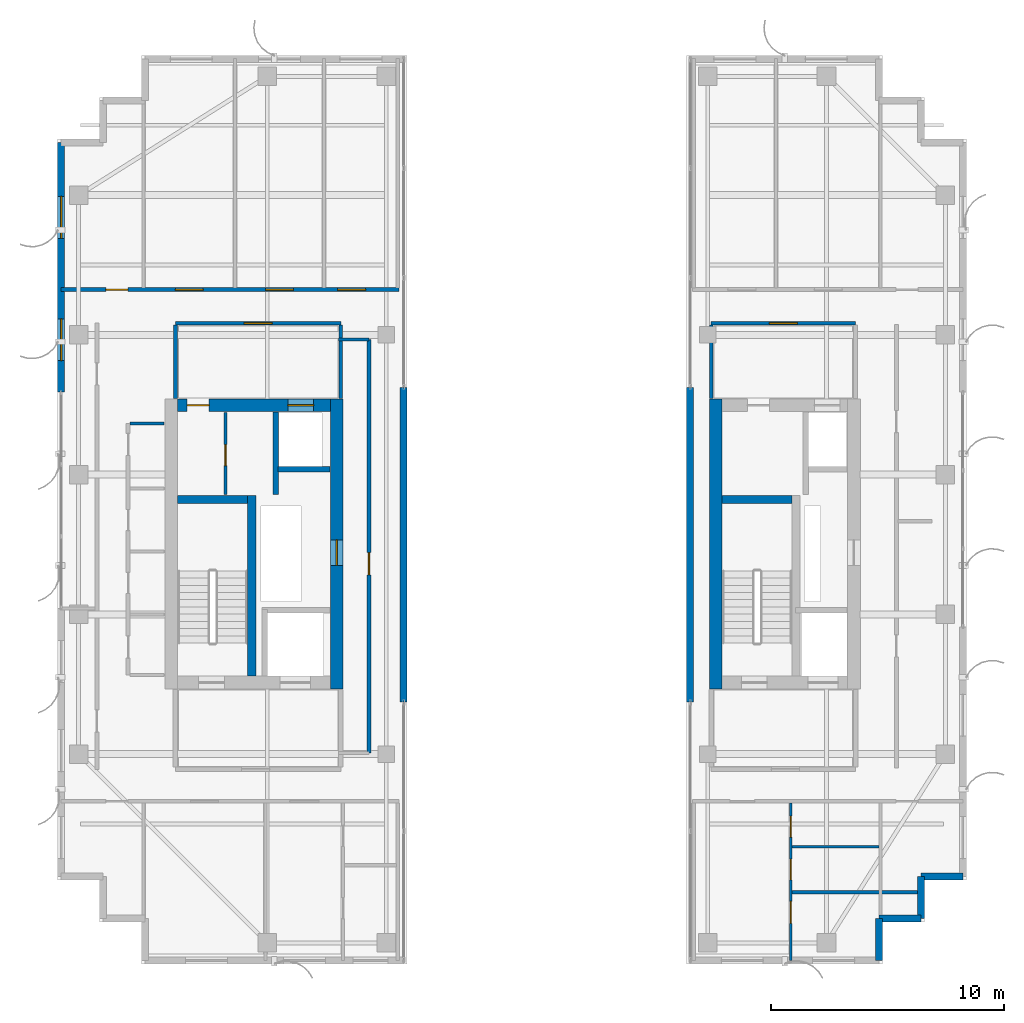
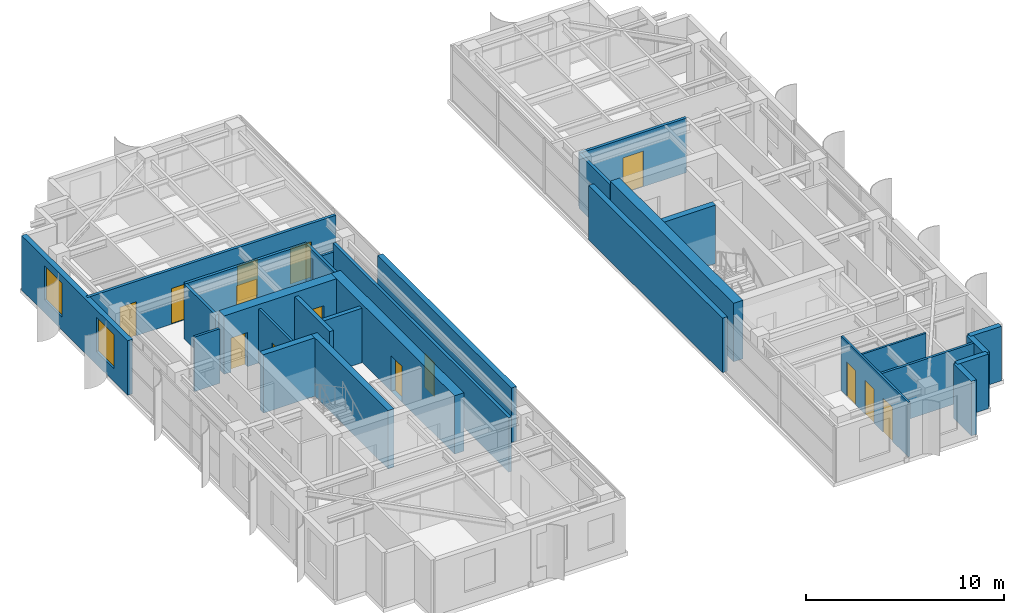
# One storey, part 19 of 24: 28 walls, 14 doors, 2 windows, 16 openings.
"""IFC4 building model written with IfcOpenShell, lengths in metres."""

import ifcopenshell
import ifcopenshell.guid

model = None  # the IFC model being written
_history = None  # IfcOwnerHistory: only IFC2X3 demands one
_inside = {}  # id of a spatial element -> (the spatial element, [elements in it])
_under = {}  # id of a project, library or spatial element -> (it, [spatial elements below it])
_declared = {}  # id of a project -> (the project, [libraries it declares])
_typed = {}  # id of a type object -> (the type object, [elements of that type])
_made_of = {}  # id of a material, layer set ... -> (it, [elements and type objects made of it])


def new_model(schema):
    """Start an empty IFC model of exactly this schema.

    Asked for "IFC4X3", IfcOpenShell would pick the latest addendum, in which some entities
    have other attributes; the version numbers below select the first issue.
    IFC2X3 requires an IfcOwnerHistory on every rooted entity: one is made here for all.
    """
    global model, _history
    if schema == "IFC4X3":
        model = ifcopenshell.file(schema_version=(4, 3, 0, 0))
    else:
        model = ifcopenshell.file(schema=schema)
    _inside.clear()
    _under.clear()
    _declared.clear()
    _typed.clear()
    _made_of.clear()
    _history = None
    if model.schema == "IFC2X3":
        org = make("IfcOrganization", Name="unknown")
        user = make(
            "IfcPersonAndOrganization",
            ThePerson=make("IfcPerson", FamilyName="unknown"),
            TheOrganization=org,
        )
        app = make(
            "IfcApplication",
            ApplicationDeveloper=org,
            Version="unknown",
            ApplicationFullName="unknown",
            ApplicationIdentifier="unknown",
        )
        _history = make(
            "IfcOwnerHistory",
            OwningUser=user,
            OwningApplication=app,
            ChangeAction="ADDED",
            CreationDate=0,
        )
    return model


def make(cls, **values):
    """One entity of the class cls with the attributes given. An attribute that is None is left unset."""
    return model.create_entity(
        cls, **{name: value for name, value in values.items() if value is not None}
    )


def rooted(cls, **values):
    """An entity with a GlobalId (a new one), such as an element, a storey or a relation."""
    return make(cls, GlobalId=ifcopenshell.guid.new(), OwnerHistory=_history, **values)


def si_unit(unit_type, name, prefix=None):
    """IfcSIUnit, for example si_unit("LENGTHUNIT", "METRE", prefix="MILLI")."""
    return make("IfcSIUnit", UnitType=unit_type, Prefix=prefix, Name=name)


def assignment(units):
    """IfcUnitAssignment: the units of a project."""
    return None if units is None else make("IfcUnitAssignment", Units=units)


def point(xyz):
    """IfcCartesianPoint."""
    return None if xyz is None else make("IfcCartesianPoint", Coordinates=xyz)


def direction(xyz):
    """IfcDirection."""
    return None if xyz is None else make("IfcDirection", DirectionRatios=xyz)


def frame(location, z_axis=None, x_axis=None):
    """IfcAxis2Placement3D, a coordinate frame: its origin and axes. An axis left out is left unset."""
    return make(
        "IfcAxis2Placement3D",
        Location=point(location),
        Axis=direction(z_axis),
        RefDirection=direction(x_axis),
    )


def frame_2d(location, x_axis=None):
    """IfcAxis2Placement2D, a coordinate frame in the plane: its origin and x axis."""
    return make(
        "IfcAxis2Placement2D", Location=point(location), RefDirection=direction(x_axis)
    )


def origin():
    """The frame at (0, 0, 0) with its axes left unset."""
    return frame((0.0, 0.0, 0.0))


def place(relative_to, where):
    """IfcLocalPlacement: puts the frame where relative to a parent placement (None: the world)."""
    return make(
        "IfcLocalPlacement", PlacementRelTo=relative_to, RelativePlacement=where
    )


def context(
    kind, dimensions, precision=None, world=None, true_north=None, identifier=None
):
    """IfcGeometricRepresentationContext, for example the 3D "Model" context."""
    return make(
        "IfcGeometricRepresentationContext",
        ContextIdentifier=identifier,
        ContextType=kind,
        CoordinateSpaceDimension=dimensions,
        Precision=precision,
        WorldCoordinateSystem=world,
        TrueNorth=true_north,
    )


def subcontext(parent, identifier, kind, view, scale=None):
    """IfcGeometricRepresentationSubContext, for example "Body" below "Model"."""
    return make(
        "IfcGeometricRepresentationSubContext",
        ContextIdentifier=identifier,
        ContextType=kind,
        ParentContext=parent,
        TargetScale=scale,
        TargetView=view,
    )


def project(units=None, contexts=None):
    """IfcProject with its units and contexts."""
    return rooted(
        "IfcProject",
        Name="project",
        RepresentationContexts=contexts,
        UnitsInContext=assignment(units),
    )


def spatial(cls, under=None, at=None, **own):
    """A site, building, storey or space (cls), placed at a placement, below another one or the project."""
    s = rooted(cls, ObjectPlacement=at, **own)
    if under is not None:
        _under.setdefault(under.id(), (under, []))[1].append(s)
    return s


def profile(cls, at=None, kind="AREA", **sizes):
    """A parametric profile (cls). Its sizes go by their IFC names, for example OverallWidth=200.0."""
    return make(cls, ProfileType=kind, Position=at, **sizes)


def rectangle(**sizes):
    """IfcRectangleProfileDef."""
    return profile("IfcRectangleProfileDef", **sizes)


def extrude(swept, where, along, depth):
    """IfcExtrudedAreaSolid: the profile swept, set in the frame where, extruded along a direction by depth."""
    return make(
        "IfcExtrudedAreaSolid",
        SweptArea=swept,
        Position=where,
        ExtrudedDirection=direction(along),
        Depth=depth,
    )


def shape(context_of_items, identifier, shape_type, items):
    """IfcShapeRepresentation: the items that make up one representation, for example the "Body"."""
    return make(
        "IfcShapeRepresentation",
        ContextOfItems=context_of_items,
        RepresentationIdentifier=identifier,
        RepresentationType=shape_type,
        Items=items,
    )


def source(mapping_origin, context_of_items, identifier, shape_type, items):
    """IfcRepresentationMap: a shape defined once, which mapped items show again and again."""
    return make(
        "IfcRepresentationMap",
        MappingOrigin=mapping_origin,
        MappedRepresentation=shape(context_of_items, identifier, shape_type, items),
    )


def transform(
    local_origin,
    x_axis=None,
    y_axis=None,
    z_axis=None,
    scale=None,
    scale2=None,
    scale3=None,
    uniform=True,
):
    """IfcCartesianTransformationOperator3D, or its non-uniform kind. x_axis, y_axis, z_axis: its Axis1, 2, 3."""
    if uniform:
        return make(
            "IfcCartesianTransformationOperator3D",
            Axis1=direction(x_axis),
            Axis2=direction(y_axis),
            LocalOrigin=point(local_origin),
            Scale=scale,
            Axis3=direction(z_axis),
        )
    return make(
        "IfcCartesianTransformationOperator3DnonUniform",
        Axis1=direction(x_axis),
        Axis2=direction(y_axis),
        LocalOrigin=point(local_origin),
        Scale=scale,
        Axis3=direction(z_axis),
        Scale2=scale2,
        Scale3=scale3,
    )


def mapped(mapping_source, mapping_target):
    """IfcMappedItem: shows the shape of a source again, moved by a transform."""
    return make(
        "IfcMappedItem", MappingSource=mapping_source, MappingTarget=mapping_target
    )


def material(Name=None, Category=None):
    """IfcMaterial."""
    return make("IfcMaterial", Name=Name, Category=Category)


def layer(
    of_material, thickness, ventilated=None, Name=None, Category=None, Priority=None
):
    """IfcMaterialLayer: one layer of a wall or slab, of a material (None: an air gap)."""
    return make(
        "IfcMaterialLayer",
        Material=of_material,
        LayerThickness=thickness,
        IsVentilated=ventilated,
        Name=Name,
        Category=Category,
        Priority=Priority,
    )


def layer_set(layers, Name=None):
    """IfcMaterialLayerSet."""
    return make("IfcMaterialLayerSet", MaterialLayers=layers, LayerSetName=Name)


def made_of(thing, what):
    """Note that an element or type object is made of a material, layer set ...; save() writes the relation."""
    if what is not None:
        _made_of.setdefault(what.id(), (what, []))[1].append(thing)
    return thing


def type_object(cls, material=None, **own):
    """A type object (cls), such as IfcWallType, which elements share."""
    return made_of(rooted(cls, **own), material)


def element(
    cls,
    number,
    at=None,
    inside=None,
    cuts=None,
    type_object=None,
    material=None,
    context=None,
    identifier="Body",
    shape_type=None,
    held_by="IfcProductDefinitionShape",
    body=None,
    shapes=None,
    **own,
):
    """One element of the class cls, such as IfcWall. Its Tag is "e" and its number.

    at: its placement. inside: the storey or other place that contains it. cuts: it is an
    opening in that element (IfcRelVoidsElement). A single representation is given by context,
    identifier, shape_type and body (its items); several are given by shapes. held_by: the class
    of the entity that holds the representations. save() writes the other relations.
    """
    e = rooted(cls, Tag="e%d" % number, ObjectPlacement=at, **own)
    if body is not None:
        shapes = [shape(context, identifier, shape_type, body)]
    if shapes is not None:
        e.Representation = make(held_by, Representations=shapes)
    if inside is not None:
        _inside.setdefault(inside.id(), (inside, []))[1].append(e)
    if cuts is not None:
        rooted(
            "IfcRelVoidsElement", RelatingBuildingElement=cuts, RelatedOpeningElement=e
        )
    if type_object is not None:
        _typed.setdefault(type_object.id(), (type_object, []))[1].append(e)
    return made_of(e, material)


def fill(opening, filler):
    """IfcRelFillsElement: the door or window that sits in an opening."""
    return rooted(
        "IfcRelFillsElement",
        RelatingOpeningElement=opening,
        RelatedBuildingElement=filler,
    )


def aggregate(whole, parts):
    """IfcRelAggregates: a whole, such as a stair, and the parts it consists of."""
    return rooted("IfcRelAggregates", RelatingObject=whole, RelatedObjects=parts)


def save(model, path):
    """Write the relations noted so far, then the file.

    IfcRelAggregates (storeys below a building ...), IfcRelContainedInSpatialStructure (elements
    in a storey), IfcRelDefinesByType, IfcRelAssociatesMaterial and IfcRelDeclares: one each for
    every whole, place, type object, material and project.
    """
    for whole, parts in _under.values():
        aggregate(whole, parts)
    for where, things in _inside.values():
        rooted(
            "IfcRelContainedInSpatialStructure",
            RelatedElements=things,
            RelatingStructure=where,
        )
    for kind, things in _typed.values():
        rooted("IfcRelDefinesByType", RelatedObjects=things, RelatingType=kind)
    for what, things in _made_of.values():
        rooted("IfcRelAssociatesMaterial", RelatedObjects=things, RelatingMaterial=what)
    for by, libraries in _declared.values():
        rooted("IfcRelDeclares", RelatingContext=by, RelatedDefinitions=libraries)
    model.write(path)


model = new_model("IFC4")

# Units and contexts
model_context = context("Model", 3, precision=1e-05, world=origin(), true_north=direction((0.0, 1.0)))
body_context = subcontext(model_context, "Body", "Model", "MODEL_VIEW")
ifc_project = project(units=[si_unit("LENGTHUNIT", "METRE"), si_unit("AREAUNIT", "SQUARE_METRE"), si_unit("VOLUMEUNIT", "CUBIC_METRE"), si_unit("PLANEANGLEUNIT", "RADIAN"), si_unit("MASSUNIT", "GRAM", prefix="KILO")], contexts=[model_context])

# Site, building, storey
site_placement = place(None, origin())
site = spatial("IfcSite", under=ifc_project, at=site_placement, CompositionType="ELEMENT")
building_placement = place(site_placement, origin())
building = spatial("IfcBuilding", under=site, at=building_placement, Name="Khoralis Quay Care Tower", CompositionType="ELEMENT")
storey_placement = place(building_placement, frame((0.0, 0.0, 231.300048828125)))
storey = spatial("IfcBuildingStorey", under=building, at=storey_placement, Name="L60", CompositionType="ELEMENT", Elevation=231.300048828125)

# Wall, opening, door
ifc_material_1 = material(Name="Concrete C65/80", Category="concrete")
ifc_layer_1 = layer(ifc_material_1, 0.550048828125)
ifc_layer_set_1 = layer_set([ifc_layer_1], Name="Concrete C65/80")
wall_type_1 = type_object("IfcWallType", Name="WL-CORE-550", PredefinedType="SHEAR", material=ifc_layer_set_1)
wall_1_placement = place(storey_placement, frame((14.97509765625, 14.800048828125, 0.0), z_axis=(0.0, 0.0, 1.0), x_axis=(0.0, 1.0, 0.0)))
wall_1 = element("IfcWall", 1, at=wall_1_placement, inside=storey, type_object=wall_type_1, Name="L60 WCORE East Shear Wall", PredefinedType="SHEAR", context=body_context, shape_type="SweptSolid", body=[
    extrude(rectangle(XDim=12.449951171875, YDim=0.550048828125, at=frame_2d((6.22509765625, 0.0))), origin(), (0.0, 0.0, 1.0), 3.599853515625),
])
opening_1_placement = place(wall_1_placement, frame((5.300048828125, 0.0, 0.0)))
opening_1 = element("IfcOpeningElement", 2, at=opening_1_placement, cuts=wall_1, Name="Opening SD1", PredefinedType="OPENING", context=body_context, shape_type="SweptSolid", body=[
    extrude(rectangle(XDim=1.10009765625, YDim=2.199951171875, at=frame_2d((0.550048828125, 1.10009765625))), frame((0.0, 0.28515625, 0.0), z_axis=(0.0, -1.0, 0.0), x_axis=(1.0, 0.0, 0.0)), (0.0, 0.0, 1.0), 0.570068359375),
])
ifc_material_2 = material(Name="Fire-rated painted steel", Category="steel")
door_type_1 = type_object("IfcDoorType", Name="DR-STAIR-1100X2200", OperationType="NOTDEFINED", PredefinedType="DOOR", material=ifc_material_2)
shared_shape_1 = source(origin(), body_context, "Body", "SweptSolid", [
    extrude(rectangle(XDim=1.10009765625, YDim=2.199951171875, at=frame_2d((0.550048828125, 1.10009765625))), frame((0.0, 0.02490234375, 0.0), z_axis=(0.0, -1.0, 0.0), x_axis=(1.0, 0.0, 0.0)), (0.0, 0.0, 1.0), 0.050048828125),
])
door_1_placement = place(opening_1_placement, origin())
door_1 = element("IfcDoor", 3, at=door_1_placement, inside=storey, type_object=door_type_1, Name="L60 West MEP Riser Door", OperationType="SINGLE_SWING_RIGHT", OverallHeight=2.199951171875, OverallWidth=1.10009765625, PredefinedType="DOOR", context=body_context, shape_type="MappedRepresentation", body=[
    mapped(shared_shape_1, transform((0.0, 0.0, 0.0), scale=1.0)),
])
fill(opening_1, door_1)

# Wall, openings, doors
wall_2_placement = place(storey_placement, frame((8.14990234375, 26.97509765625, 0.0), z_axis=(0.0, 0.0, 1.0), x_axis=(1.0, 0.0, 0.0)))
wall_2 = element("IfcWall", 4, at=wall_2_placement, inside=storey, type_object=wall_type_1, Name="L60 WCORE North Shear Wall", PredefinedType="SHEAR", context=body_context, shape_type="SweptSolid", body=[
    extrude(rectangle(XDim=6.550048828125, YDim=0.550048828125, at=frame_2d((3.27490234375, 0.0))), origin(), (0.0, 0.0, 1.0), 3.599853515625),
])
opening_2_placement = place(wall_2_placement, frame((0.39990234375, 0.0, 0.0)))
opening_2 = element("IfcOpeningElement", 5, at=opening_2_placement, cuts=wall_2, Name="Opening ID1", PredefinedType="OPENING", context=body_context, shape_type="SweptSolid", body=[
    extrude(rectangle(XDim=0.949951171875, YDim=2.10009765625, at=frame_2d((0.47509765625, 1.050048828125))), frame((0.0, 0.28515625, 0.0), z_axis=(0.0, -1.0, 0.0), x_axis=(1.0, 0.0, 0.0)), (0.0, 0.0, 1.0), 0.570068359375),
])
opening_3_placement = place(wall_2_placement, frame((4.72998046875, 0.0, 0.0)))
opening_3 = element("IfcOpeningElement", 6, at=opening_3_placement, cuts=wall_2, Name="Opening LD1", PredefinedType="OPENING", context=body_context, shape_type="SweptSolid", body=[
    extrude(rectangle(XDim=1.10009765625, YDim=2.199951171875, at=frame_2d((0.550048828125, 1.10009765625))), frame((0.0, 0.28515625, 0.0), z_axis=(0.0, -1.0, 0.0), x_axis=(1.0, 0.0, 0.0)), (0.0, 0.0, 1.0), 0.570068359375),
])
ifc_material_3 = material(Name="Brushed stainless steel", Category="steel")
door_type_2 = type_object("IfcDoorType", Name="DR-LIFT-1100X2200", OperationType="SLIDING_TO_LEFT", PredefinedType="DOOR", material=ifc_material_3)
shared_shape_2 = source(origin(), body_context, "Body", "SweptSolid", [
    extrude(rectangle(XDim=1.10009765625, YDim=2.199951171875, at=frame_2d((0.550048828125, 1.10009765625))), frame((0.0, 0.02490234375, 0.0), z_axis=(0.0, -1.0, 0.0), x_axis=(1.0, 0.0, 0.0)), (0.0, 0.0, 1.0), 0.050048828125),
])
door_2_placement = place(opening_3_placement, origin())
door_2 = element("IfcDoor", 7, at=door_2_placement, inside=storey, type_object=door_type_2, Name="L60 Lift PLH1 Landing Door", OperationType="SLIDING_TO_LEFT", OverallHeight=2.199951171875, OverallWidth=1.10009765625, PredefinedType="DOOR", context=body_context, shape_type="MappedRepresentation", body=[
    mapped(shared_shape_2, transform((0.0, 0.0, 0.0), scale=1.0)),
])
fill(opening_3, door_2)
ifc_material_4 = material(Name="Acoustic hardwood timber", Category="wood")
door_type_3 = type_object("IfcDoorType", Name="DR-ROOM-950X2100", OperationType="NOTDEFINED", PredefinedType="DOOR", material=ifc_material_4)
shared_shape_3 = source(origin(), body_context, "Body", "SweptSolid", [
    extrude(rectangle(XDim=0.949951171875, YDim=2.10009765625, at=frame_2d((0.47509765625, 1.050048828125))), frame((0.0, 0.02490234375, 0.0), z_axis=(0.0, -1.0, 0.0), x_axis=(1.0, 0.0, 0.0)), (0.0, 0.0, 1.0), 0.050048828125),
])
door_3_placement = place(opening_2_placement, frame((0.949951171875, 0.0, 0.0), z_axis=(0.0, 0.0, 1.0), x_axis=(-1.0, 0.0, 0.0)))
door_3 = element("IfcDoor", 8, at=door_3_placement, inside=storey, type_object=door_type_3, Name="L60 Telemetry Study Door", OperationType="SINGLE_SWING_RIGHT", OverallHeight=2.10009765625, OverallWidth=0.949951171875, PredefinedType="DOOR", context=body_context, shape_type="MappedRepresentation", body=[
    mapped(shared_shape_3, transform((0.0, 0.0, 0.0), scale=1.0)),
])
fill(opening_2, door_3)

# Wall
wall_3_placement = place(storey_placement, frame((31.2451171875, 14.800048828125, 0.0), z_axis=(0.0, 0.0, 1.0), x_axis=(0.0, 1.0, 0.0)))
element("IfcWall", 9, at=wall_3_placement, inside=storey, type_object=wall_type_1, Name="L60 ECORE West Shear Wall", PredefinedType="SHEAR", context=body_context, shape_type="SweptSolid", body=[
    extrude(rectangle(XDim=12.449951171875, YDim=0.550048828125, at=frame_2d((6.22509765625, 0.0))), origin(), (0.0, 0.0, 1.0), 3.599853515625),
])

# Wall, opening, door
ifc_material_5 = material(Name="Gypsum plasterboard on acoustic metal stud")
ifc_layer_2 = layer(ifc_material_5, 0.1650390625)
ifc_layer_set_2 = layer_set([ifc_layer_2], Name="Gypsum plasterboard on acoustic metal stud")
wall_type_2 = type_object("IfcWallType", Name="WL-CORR-165", PredefinedType="PARTITIONING", material=ifc_layer_set_2)
wall_4_placement = place(storey_placement, frame((8.050048828125, 30.5, 0.0), z_axis=(0.0, 0.0, 1.0), x_axis=(1.0, 0.0, 0.0)))
wall_4 = element("IfcWall", 10, at=wall_4_placement, inside=storey, type_object=wall_type_2, Name="L60 West Lift Lobby North Wall", PredefinedType="PARTITIONING", context=body_context, shape_type="SweptSolid", body=[
    extrude(rectangle(XDim=7.099853515625, YDim=0.1650390625, at=frame_2d((3.5498046875, 0.0))), origin(), (0.0, 0.0, 1.0), 3.35986328125),
])
opening_4_placement = place(wall_4_placement, frame((2.949951171875, 0.0, 0.0)))
opening_4 = element("IfcOpeningElement", 11, at=opening_4_placement, cuts=wall_4, Name="Opening FD1", PredefinedType="OPENING", context=body_context, shape_type="SweptSolid", body=[
    extrude(rectangle(XDim=1.199951171875, YDim=2.199951171875, at=frame_2d((0.60009765625, 1.10009765625))), frame((0.0, 0.092529296875, 0.0), z_axis=(0.0, -1.0, 0.0), x_axis=(1.0, 0.0, 0.0)), (0.0, 0.0, 1.0), 0.18505859375),
])
door_type_4 = type_object("IfcDoorType", Name="DR-FFL-1200X2200", OperationType="NOTDEFINED", PredefinedType="DOOR", material=ifc_material_2)
shared_shape_4 = source(origin(), body_context, "Body", "SweptSolid", [
    extrude(rectangle(XDim=1.199951171875, YDim=2.199951171875, at=frame_2d((0.60009765625, 1.10009765625))), frame((0.0, 0.02490234375, 0.0), z_axis=(0.0, -1.0, 0.0), x_axis=(1.0, 0.0, 0.0)), (0.0, 0.0, 1.0), 0.050048828125),
])
door_4_placement = place(opening_4_placement, origin())
door_4 = element("IfcDoor", 12, at=door_4_placement, inside=storey, type_object=door_type_4, Name="L60 West Lift Lobby Double Door", OperationType="DOUBLE_DOOR_SINGLE_SWING", OverallHeight=2.199951171875, OverallWidth=1.199951171875, PredefinedType="DOOR", context=body_context, shape_type="MappedRepresentation", body=[
    mapped(shared_shape_4, transform((0.0, 0.0, 0.0), scale=1.0)),
])
fill(opening_4, door_4)

# Walls
for number, where, z_axis, x_axis, name in (
    (13, (8.050048828125, 27.27001953125, 0.0), (0.0, 0.0, 1.0), (0.0, 1.0, 0.0), "L60 West Lift Lobby West Wall"),
    (14, (15.14990234375, 27.27001953125, 0.0), (0.0, 0.0, 1.0), (0.0, 1.0, 0.0), "L60 West Lift Lobby East Wall"),
):
    element("IfcWall", number, at=place(storey_placement, frame(where, z_axis=z_axis, x_axis=x_axis)), inside=storey, type_object=wall_type_2, Name=name, PredefinedType="PARTITIONING", context=body_context, shape_type="SweptSolid", body=[
        extrude(rectangle(XDim=3.152587890625, YDim=0.1650390625, at=frame_2d((1.576171875, 0.0))), origin(), (0.0, 0.0, 1.0), 3.35986328125),
    ])

# Wall, opening, door
wall_5_placement = place(storey_placement, frame((31.050048828125, 30.5, 0.0), z_axis=(0.0, 0.0, 1.0), x_axis=(1.0, 0.0, 0.0)))
wall_5 = element("IfcWall", 15, at=wall_5_placement, inside=storey, type_object=wall_type_2, Name="L60 East Lift Lobby North Wall", PredefinedType="PARTITIONING", context=body_context, shape_type="SweptSolid", body=[
    extrude(rectangle(XDim=6.199951171875, YDim=0.1650390625, at=frame_2d((3.10009765625, 0.0))), origin(), (0.0, 0.0, 1.0), 3.35986328125),
])
opening_5_placement = place(wall_5_placement, frame((2.5, 0.0, 0.0)))
opening_5 = element("IfcOpeningElement", 16, at=opening_5_placement, cuts=wall_5, Name="Opening FD1", PredefinedType="OPENING", context=body_context, shape_type="SweptSolid", body=[
    extrude(rectangle(XDim=1.199951171875, YDim=2.199951171875, at=frame_2d((0.60009765625, 1.10009765625))), frame((0.0, 0.092529296875, 0.0), z_axis=(0.0, -1.0, 0.0), x_axis=(1.0, 0.0, 0.0)), (0.0, 0.0, 1.0), 0.18505859375),
])
door_5_placement = place(opening_5_placement, origin())
door_5 = element("IfcDoor", 17, at=door_5_placement, inside=storey, type_object=door_type_4, Name="L60 East Lift Lobby Double Door", OperationType="DOUBLE_DOOR_SINGLE_SWING", OverallHeight=2.199951171875, OverallWidth=1.199951171875, PredefinedType="DOOR", context=body_context, shape_type="MappedRepresentation", body=[
    mapped(shared_shape_4, transform((0.0, 0.0, 0.0), scale=1.0)),
])
fill(opening_5, door_5)

# Wall
wall_6_placement = place(storey_placement, frame((31.050048828125, 27.27001953125, 0.0), z_axis=(0.0, 0.0, 1.0), x_axis=(0.0, 1.0, 0.0)))
element("IfcWall", 18, at=wall_6_placement, inside=storey, type_object=wall_type_2, Name="L60 East Lift Lobby West Wall", PredefinedType="PARTITIONING", context=body_context, shape_type="SweptSolid", body=[
    extrude(rectangle(XDim=3.152587890625, YDim=0.1650390625, at=frame_2d((1.576171875, 0.0))), origin(), (0.0, 0.0, 1.0), 3.35986328125),
])

# Wall, openings, doors
wall_7_placement = place(storey_placement, frame((3.14501953125, 31.93994140625, 0.0), z_axis=(0.0, 0.0, 1.0), x_axis=(1.0, 0.0, 0.0)))
wall_7 = element("IfcWall", 19, at=wall_7_placement, inside=storey, type_object=wall_type_2, Name="L60 West Wing North Corridor Wall", PredefinedType="PARTITIONING", context=body_context, shape_type="SweptSolid", body=[
    extrude(rectangle(XDim=14.5048828125, YDim=0.1650390625, at=frame_2d((7.25244140625, 0.0))), origin(), (0.0, 0.0, 1.0), 3.35986328125),
])
opening_6_placement = place(wall_7_placement, frame((4.89990234375, 0.0, 0.0)))
opening_6 = element("IfcOpeningElement", 20, at=opening_6_placement, cuts=wall_7, Name="Opening FD1", PredefinedType="OPENING", context=body_context, shape_type="SweptSolid", body=[
    extrude(rectangle(XDim=1.199951171875, YDim=2.199951171875, at=frame_2d((0.60009765625, 1.10009765625))), frame((0.0, 0.092529296875, 0.0), z_axis=(0.0, -1.0, 0.0), x_axis=(1.0, 0.0, 0.0)), (0.0, 0.0, 1.0), 0.18505859375),
])
opening_7_placement = place(wall_7_placement, frame((8.77490234375, 0.0, 0.0)))
opening_7 = element("IfcOpeningElement", 21, at=opening_7_placement, cuts=wall_7, Name="Opening FD1", PredefinedType="OPENING", context=body_context, shape_type="SweptSolid", body=[
    extrude(rectangle(XDim=1.199951171875, YDim=2.199951171875, at=frame_2d((0.60009765625, 1.10009765625))), frame((0.0, 0.092529296875, 0.0), z_axis=(0.0, -1.0, 0.0), x_axis=(1.0, 0.0, 0.0)), (0.0, 0.0, 1.0), 0.18505859375),
])
opening_8_placement = place(wall_7_placement, frame((11.8701171875, 0.0, 0.0)))
opening_8 = element("IfcOpeningElement", 22, at=opening_8_placement, cuts=wall_7, Name="Opening FD1", PredefinedType="OPENING", context=body_context, shape_type="SweptSolid", body=[
    extrude(rectangle(XDim=1.199951171875, YDim=2.199951171875, at=frame_2d((0.60009765625, 1.10009765625))), frame((0.0, 0.092529296875, 0.0), z_axis=(0.0, -1.0, 0.0), x_axis=(1.0, 0.0, 0.0)), (0.0, 0.0, 1.0), 0.18505859375),
])
opening_9_placement = place(wall_7_placement, frame((1.919921875, 0.0, 0.0)))
opening_9 = element("IfcOpeningElement", 23, at=opening_9_placement, cuts=wall_7, Name="Opening ID1", PredefinedType="OPENING", context=body_context, shape_type="SweptSolid", body=[
    extrude(rectangle(XDim=0.949951171875, YDim=2.10009765625, at=frame_2d((0.47509765625, 1.050048828125))), frame((0.0, 0.092529296875, 0.0), z_axis=(0.0, -1.0, 0.0), x_axis=(1.0, 0.0, 0.0)), (0.0, 0.0, 1.0), 0.18505859375),
])
door_6_placement = place(opening_6_placement, origin())
door_6 = element("IfcDoor", 24, at=door_6_placement, inside=storey, type_object=door_type_4, Name="L60 Resident Communal Day Lounge Door", OperationType="DOUBLE_DOOR_SINGLE_SWING", OverallHeight=2.199951171875, OverallWidth=1.199951171875, PredefinedType="DOOR", context=body_context, shape_type="MappedRepresentation", body=[
    mapped(shared_shape_4, transform((0.0, 0.0, 0.0), scale=1.0)),
])
fill(opening_6, door_6)
door_7_placement = place(opening_7_placement, origin())
door_7 = element("IfcDoor", 25, at=door_7_placement, inside=storey, type_object=door_type_4, Name="L60 Resident Communal Day Lounge Door", OperationType="DOUBLE_DOOR_SINGLE_SWING", OverallHeight=2.199951171875, OverallWidth=1.199951171875, PredefinedType="DOOR", context=body_context, shape_type="MappedRepresentation", body=[
    mapped(shared_shape_4, transform((0.0, 0.0, 0.0), scale=1.0)),
])
fill(opening_7, door_7)
door_8_placement = place(opening_8_placement, origin())
door_8 = element("IfcDoor", 26, at=door_8_placement, inside=storey, type_object=door_type_4, Name="L60 Assisted Communal Dining Room Door", OperationType="DOUBLE_DOOR_SINGLE_SWING", OverallHeight=2.199951171875, OverallWidth=1.199951171875, PredefinedType="DOOR", context=body_context, shape_type="MappedRepresentation", body=[
    mapped(shared_shape_4, transform((0.0, 0.0, 0.0), scale=1.0)),
])
fill(opening_8, door_8)
door_9_placement = place(opening_9_placement, origin())
door_9 = element("IfcDoor", 27, at=door_9_placement, inside=storey, type_object=door_type_3, Name="L60 NW Corner Door", OperationType="SINGLE_SWING_RIGHT", OverallHeight=2.10009765625, OverallWidth=0.949951171875, PredefinedType="DOOR", context=body_context, shape_type="MappedRepresentation", body=[
    mapped(shared_shape_3, transform((0.0, 0.0, 0.0), scale=1.0)),
])
fill(opening_9, door_9)

# Wall, opening, door
wall_8_placement = place(storey_placement, frame((16.360107421875, 12.050048828125, 0.0), z_axis=(0.0, 0.0, 1.0), x_axis=(0.0, 1.0, 0.0)))
wall_8 = element("IfcWall", 28, at=wall_8_placement, inside=storey, type_object=wall_type_2, Name="L60 Portal Gallery Wall", PredefinedType="PARTITIONING", context=body_context, shape_type="SweptSolid", body=[
    extrude(rectangle(XDim=17.75, YDim=0.1650390625, at=frame_2d((8.875, 0.0))), origin(), (0.0, 0.0, 1.0), 3.35986328125),
])
opening_10_placement = place(wall_8_placement, frame((7.64990234375, 0.0, 0.0)))
opening_10 = element("IfcOpeningElement", 29, at=opening_10_placement, cuts=wall_8, Name="Opening ID1", PredefinedType="OPENING", context=body_context, shape_type="SweptSolid", body=[
    extrude(rectangle(XDim=0.949951171875, YDim=2.10009765625, at=frame_2d((0.47509765625, 1.050048828125))), frame((0.0, 0.092529296875, 0.0), z_axis=(0.0, -1.0, 0.0), x_axis=(1.0, 0.0, 0.0)), (0.0, 0.0, 1.0), 0.18505859375),
])
door_10_placement = place(opening_10_placement, frame((0.949951171875, 0.0, 0.0), z_axis=(0.0, 0.0, 1.0), x_axis=(-1.0, 0.0, 0.0)))
door_10 = element("IfcDoor", 30, at=door_10_placement, inside=storey, type_object=door_type_3, Name="L60 Portal Reading Lounge Door", OperationType="SINGLE_SWING_LEFT", OverallHeight=2.10009765625, OverallWidth=0.949951171875, PredefinedType="DOOR", context=body_context, shape_type="MappedRepresentation", body=[
    mapped(shared_shape_3, transform((0.0, 0.0, 0.0), scale=1.0)),
])
fill(opening_10, door_10)

# Wall
ifc_material_6 = material(Name="Precast concrete C45/55", Category="concrete")
ifc_layer_3 = layer(ifc_material_6, 0.300048828125)
ifc_layer_set_3 = layer_set([ifc_layer_3], Name="Precast concrete C45/55")
wall_type_3 = type_object("IfcWallType", Name="WL-EXT-REF-300", PredefinedType="SOLIDWALL", material=ifc_layer_set_3)
wall_9_placement = place(storey_placement, frame((17.85009765625, 14.25, 0.0), z_axis=(0.0, 0.0, 1.0), x_axis=(0.0, 1.0, 0.0)))
element("IfcWall", 31, at=wall_9_placement, inside=storey, type_object=wall_type_3, Name="L60 External Facade Wall WL-VP-L60-P1-M", PredefinedType="SOLIDWALL", context=body_context, shape_type="SweptSolid", body=[
    extrude(rectangle(XDim=13.5, YDim=0.300048828125, at=frame_2d((6.75, 0.0))), origin(), (0.0, 0.0, 1.0), 3.35986328125),
])

# Wall, openings, windows
wall_10_placement = place(storey_placement, frame((3.14990234375, 38.25, 0.0), z_axis=(0.0, 0.0, 1.0), x_axis=(0.0, -1.0, 0.0)))
wall_10 = element("IfcWall", 32, at=wall_10_placement, inside=storey, type_object=wall_type_3, Name="L60 External Facade Wall WL-EXT-L60-P1-E7A", PredefinedType="SOLIDWALL", context=body_context, shape_type="SweptSolid", body=[
    extrude(rectangle(XDim=10.7099609375, YDim=0.300048828125, at=frame_2d((5.35498046875, 0.0))), origin(), (0.0, 0.0, 1.0), 3.35986328125),
])
opening_11_placement = place(wall_10_placement, frame((2.304931640625, 0.0, 0.800048828125)))
opening_11 = element("IfcOpeningElement", 33, at=opening_11_placement, cuts=wall_10, Name="Opening W2", PredefinedType="OPENING", context=body_context, shape_type="SweptSolid", body=[
    extrude(rectangle(XDim=1.800048828125, YDim=2.10009765625, at=frame_2d((0.89990234375, 1.050048828125))), frame((0.0, 0.16015625, 0.0), z_axis=(0.0, -1.0, 0.0), x_axis=(1.0, 0.0, 0.0)), (0.0, 0.0, 1.0), 0.320068359375),
])
opening_12_placement = place(wall_10_placement, frame((7.56005859375, 0.0, 0.800048828125)))
opening_12 = element("IfcOpeningElement", 34, at=opening_12_placement, cuts=wall_10, Name="Opening W2", PredefinedType="OPENING", context=body_context, shape_type="SweptSolid", body=[
    extrude(rectangle(XDim=1.800048828125, YDim=2.10009765625, at=frame_2d((0.89990234375, 1.050048828125))), frame((0.0, 0.16015625, 0.0), z_axis=(0.0, -1.0, 0.0), x_axis=(1.0, 0.0, 0.0)), (0.0, 0.0, 1.0), 0.320068359375),
])
ifc_material_7 = material(Name="Low-E solar-control double glazing", Category="glass")
window_type = type_object("IfcWindowType", Name="WN-POD-1800X2100", PartitioningType="SINGLE_PANEL", PredefinedType="WINDOW", material=ifc_material_7)
shared_shape_5 = source(origin(), body_context, "Body", "SweptSolid", [
    extrude(rectangle(XDim=1.800048828125, YDim=2.10009765625, at=frame_2d((0.89990234375, 1.050048828125))), frame((0.0, 0.030029296875, 0.0), z_axis=(0.0, -1.0, 0.0), x_axis=(1.0, 0.0, 0.0)), (0.0, 0.0, 1.0), 0.06005859375),
])
window_1_placement = place(opening_11_placement, origin())
window_1 = element("IfcWindow", 35, at=window_1_placement, inside=storey, type_object=window_type, Name="WN-L60-P1-E7A Facade Window 01", OverallHeight=2.10009765625, OverallWidth=1.800048828125, PartitioningType="SINGLE_PANEL", PredefinedType="WINDOW", context=body_context, shape_type="MappedRepresentation", body=[
    mapped(shared_shape_5, transform((0.0, 0.0, 0.0), scale=1.0)),
])
fill(opening_11, window_1)
window_2_placement = place(opening_12_placement, origin())
window_2 = element("IfcWindow", 36, at=window_2_placement, inside=storey, type_object=window_type, Name="WN-L60-P1-E7A Facade Window 02", OverallHeight=2.10009765625, OverallWidth=1.800048828125, PartitioningType="SINGLE_PANEL", PredefinedType="WINDOW", context=body_context, shape_type="MappedRepresentation", body=[
    mapped(shared_shape_5, transform((0.0, 0.0, 0.0), scale=1.0)),
])
fill(opening_12, window_2)

# Walls
for number, where, z_axis, x_axis, name in (
    (37, (38.25, 3.14990234375, 0.0), (0.0, 0.0, 1.0), (0.0, 1.0, 0.0), "L60 External Facade Wall WL-EXT-L60-P2-C1"),
    (38, (38.25, 4.949951171875, 0.0), (0.0, 0.0, 1.0), (1.0, 0.0, 0.0), "L60 External Facade Wall WL-EXT-L60-P2-C2"),
    (39, (40.050048828125, 4.949951171875, 0.0), (0.0, 0.0, 1.0), (0.0, 1.0, 0.0), "L60 External Facade Wall WL-EXT-L60-P2-C3"),
    (40, (40.050048828125, 6.75, 0.0), (0.0, 0.0, 1.0), (1.0, 0.0, 0.0), "L60 External Facade Wall WL-EXT-L60-P2-C4"),
):
    element("IfcWall", number, at=place(storey_placement, frame(where, z_axis=z_axis, x_axis=x_axis)), inside=storey, type_object=wall_type_3, Name=name, PredefinedType="SOLIDWALL", context=body_context, shape_type="SweptSolid", body=[
        extrude(rectangle(XDim=1.800048828125, YDim=0.300048828125, at=frame_2d((0.89990234375, 0.0))), origin(), (0.0, 0.0, 1.0), 3.35986328125),
    ])
wall_11_placement = place(storey_placement, frame((30.14990234375, 14.25, 0.0), z_axis=(0.0, 0.0, 1.0), x_axis=(0.0, 1.0, 0.0)))
element("IfcWall", 41, at=wall_11_placement, inside=storey, type_object=wall_type_3, Name="L60 External Facade Wall WL-VP-L60-P2-M", PredefinedType="SOLIDWALL", context=body_context, shape_type="SweptSolid", body=[
    extrude(rectangle(XDim=13.5, YDim=0.300048828125, at=frame_2d((6.75, 0.0))), origin(), (0.0, 0.0, 1.0), 3.35986328125),
])

# Wall, openings, doors
ifc_layer_4 = layer(ifc_material_5, 0.114990234375)
ifc_layer_set_4 = layer_set([ifc_layer_4], Name="Gypsum plasterboard on acoustic metal stud")
wall_type_4 = type_object("IfcWallType", Name="WL-PART-115", PredefinedType="PARTITIONING", material=ifc_layer_set_4)
wall_12_placement = place(storey_placement, frame((34.469970703125, 3.14501953125, 0.0), z_axis=(0.0, 0.0, 1.0), x_axis=(0.0, 1.0, 0.0)))
wall_12 = element("IfcWall", 42, at=wall_12_placement, inside=storey, type_object=wall_type_4, Name="L60 Unit 0 Internal Wall", PredefinedType="PARTITIONING", context=body_context, shape_type="SweptSolid", body=[
    extrude(rectangle(XDim=6.757568359375, YDim=0.114990234375, at=frame_2d((3.37890625, 0.0))), origin(), (0.0, 0.0, 1.0), 3.35986328125),
])
opening_13_placement = place(wall_12_placement, frame((1.590576171875, 0.0, 0.0)))
opening_13 = element("IfcOpeningElement", 43, at=opening_13_placement, cuts=wall_12, Name="Opening ID1", PredefinedType="OPENING", context=body_context, shape_type="SweptSolid", body=[
    extrude(rectangle(XDim=0.949951171875, YDim=2.10009765625, at=frame_2d((0.47509765625, 1.050048828125))), frame((0.0, 0.0673828125, 0.0), z_axis=(0.0, -1.0, 0.0), x_axis=(1.0, 0.0, 0.0)), (0.0, 0.0, 1.0), 0.135009765625),
])
opening_14_placement = place(wall_12_placement, frame((3.45361328125, 0.0, 0.0)))
opening_14 = element("IfcOpeningElement", 44, at=opening_14_placement, cuts=wall_12, Name="Opening WD1", PredefinedType="OPENING", context=body_context, shape_type="SweptSolid", body=[
    extrude(rectangle(XDim=0.89990234375, YDim=2.10009765625, at=frame_2d((0.449951171875, 1.050048828125))), frame((0.0, 0.0673828125, 0.0), z_axis=(0.0, -1.0, 0.0), x_axis=(1.0, 0.0, 0.0)), (0.0, 0.0, 1.0), 0.135009765625),
])
opening_15_placement = place(wall_12_placement, frame((5.29296875, 0.0, 0.0)))
opening_15 = element("IfcOpeningElement", 45, at=opening_15_placement, cuts=wall_12, Name="Opening WD1", PredefinedType="OPENING", context=body_context, shape_type="SweptSolid", body=[
    extrude(rectangle(XDim=0.89990234375, YDim=2.10009765625, at=frame_2d((0.449951171875, 1.050048828125))), frame((0.0, 0.0673828125, 0.0), z_axis=(0.0, -1.0, 0.0), x_axis=(1.0, 0.0, 0.0)), (0.0, 0.0, 1.0), 0.135009765625),
])
door_type_5 = type_object("IfcDoorType", Name="DR-BATH-900X2100", OperationType="NOTDEFINED", PredefinedType="DOOR", material=ifc_material_4)
shared_shape_6 = source(origin(), body_context, "Body", "SweptSolid", [
    extrude(rectangle(XDim=0.89990234375, YDim=2.10009765625, at=frame_2d((0.449951171875, 1.050048828125))), frame((0.0, 0.02490234375, 0.0), z_axis=(0.0, -1.0, 0.0), x_axis=(1.0, 0.0, 0.0)), (0.0, 0.0, 1.0), 0.050048828125),
])
door_11_placement = place(opening_14_placement, frame((0.89990234375, 0.0, 0.0), z_axis=(0.0, 0.0, 1.0), x_axis=(-1.0, 0.0, 0.0)))
door_11 = element("IfcDoor", 46, at=door_11_placement, inside=storey, type_object=door_type_5, Name="L60 Apartment ES0 KIT Door", OperationType="SINGLE_SWING_LEFT", OverallHeight=2.10009765625, OverallWidth=0.89990234375, PredefinedType="DOOR", context=body_context, shape_type="MappedRepresentation", body=[
    mapped(shared_shape_6, transform((0.0, 0.0, 0.0), scale=1.0)),
])
fill(opening_14, door_11)
door_12_placement = place(opening_15_placement, frame((0.89990234375, 0.0, 0.0), z_axis=(0.0, 0.0, 1.0), x_axis=(-1.0, 0.0, 0.0)))
door_12 = element("IfcDoor", 47, at=door_12_placement, inside=storey, type_object=door_type_5, Name="L60 Apartment ES0 BTH Door", OperationType="SINGLE_SWING_RIGHT", OverallHeight=2.10009765625, OverallWidth=0.89990234375, PredefinedType="DOOR", context=body_context, shape_type="MappedRepresentation", body=[
    mapped(shared_shape_6, transform((0.0, 0.0, 0.0), scale=1.0)),
])
fill(opening_15, door_12)
door_13_placement = place(opening_13_placement, frame((0.949951171875, 0.0, 0.0), z_axis=(0.0, 0.0, 1.0), x_axis=(-1.0, 0.0, 0.0)))
door_13 = element("IfcDoor", 48, at=door_13_placement, inside=storey, type_object=door_type_3, Name="L60 Apartment ES0 BED Door", OperationType="SINGLE_SWING_RIGHT", OverallHeight=2.10009765625, OverallWidth=0.949951171875, PredefinedType="DOOR", context=body_context, shape_type="MappedRepresentation", body=[
    mapped(shared_shape_3, transform((0.0, 0.0, 0.0), scale=1.0)),
])
fill(opening_13, door_13)

# Walls
wall_13_placement = place(storey_placement, frame((34.5224609375, 8.02587890625, 0.0), z_axis=(0.0, 0.0, 1.0), x_axis=(1.0, 0.0, 0.0)))
element("IfcWall", 49, at=wall_13_placement, inside=storey, type_object=wall_type_4, Name="L60 Unit 0 Kitchen Wall", PredefinedType="PARTITIONING", context=body_context, shape_type="SweptSolid", body=[
    extrude(rectangle(XDim=3.732421875, YDim=0.114990234375, at=frame_2d((1.8662109375, 0.0))), origin(), (0.0, 0.0, 1.0), 3.35986328125),
])
ifc_material_8 = material(Name="Moisture-resistant gypsum and ceramic tile")
ifc_layer_5 = layer(ifc_material_8, 0.280029296875)
ifc_layer_set_5 = layer_set([ifc_layer_5], Name="Moisture-resistant gypsum and ceramic tile")
wall_type_5 = type_object("IfcWallType", Name="WL-PLUMB-280", PredefinedType="PLUMBINGWALL", material=ifc_layer_set_5)
wall_14_placement = place(storey_placement, frame((34.5224609375, 6.071044921875, 0.0), z_axis=(0.0, 0.0, 1.0), x_axis=(1.0, 0.0, 0.0)))
element("IfcWall", 50, at=wall_14_placement, inside=storey, type_object=wall_type_5, Name="L60 Unit 0 Wet Wall", PredefinedType="PLUMBINGWALL", context=body_context, shape_type="SweptSolid", body=[
    extrude(rectangle(XDim=5.532470703125, YDim=0.139892578125, at=frame_2d((2.76611328125, 0.0))), origin(), (0.0, 0.0, 1.0), 3.35986328125),
])
ifc_material_9 = material(Name="Concrete C40/50", Category="concrete")
ifc_layer_6 = layer(ifc_material_9, 0.35009765625)
ifc_layer_set_6 = layer_set([ifc_layer_6], Name="Concrete C40/50")
wall_type_6 = type_object("IfcWallType", Name="WL-SC-CORE-350", PredefinedType="SHEAR", material=ifc_layer_set_6)
wall_15_placement = place(storey_placement, frame((11.324951171875, 15.35009765625, 0.0), z_axis=(0.0, 0.0, 1.0), x_axis=(0.0, 1.0, 0.0)))
element("IfcWall", 51, at=wall_15_placement, inside=storey, type_object=wall_type_6, Name="L60 Stair ST-T1 Shear Baffle Wall East", PredefinedType="SHEAR", context=body_context, shape_type="SweptSolid", body=[
    extrude(rectangle(XDim=7.75, YDim=0.35009765625, at=frame_2d((3.875, 0.0))), origin(), (0.0, 0.0, 1.0), 3.599853515625),
])
for number, where, z_axis, x_axis, name in (
    (52, (8.14990234375, 22.925048828125, 0.0), (0.0, 0.0, 1.0), (1.0, 0.0, 0.0), "L60 Stair ST-T1 Shear Baffle Wall North"),
    (53, (31.52001953125, 22.925048828125, 0.0), (0.0, 0.0, 1.0), (1.0, 0.0, 0.0), "L60 Stair ST-T2 Shear Baffle Wall North"),
):
    element("IfcWall", number, at=place(storey_placement, frame(where, z_axis=z_axis, x_axis=x_axis)), inside=storey, type_object=wall_type_6, Name=name, PredefinedType="SHEAR", context=body_context, shape_type="SweptSolid", body=[
        extrude(rectangle(XDim=3.0, YDim=0.35009765625, at=frame_2d((1.5, 0.0))), origin(), (0.0, 0.0, 1.0), 3.599853515625),
    ])
ifc_layer_7 = layer(ifc_material_5, 0.239990234375)
ifc_layer_set_7 = layer_set([ifc_layer_7], Name="Gypsum plasterboard on acoustic metal stud")
wall_type_7 = type_object("IfcWallType", Name="WL-SHAFT-240", PredefinedType="PARTITIONING", material=ifc_layer_set_7)
wall_16_placement = place(storey_placement, frame((12.35009765625, 23.139892578125, 0.0), z_axis=(0.0, 0.0, 1.0), x_axis=(0.0, 1.0, 0.0)))
element("IfcWall", 54, at=wall_16_placement, inside=storey, type_object=wall_type_7, Name="L60 High-Rise Reclaimed Bay Wall West", PredefinedType="PARTITIONING", context=body_context, shape_type="SweptSolid", body=[
    extrude(rectangle(XDim=3.5400390625, YDim=0.239990234375, at=frame_2d((1.77001953125, 0.0))), origin(), (0.0, 0.0, 1.0), 3.35986328125),
])
wall_17_placement = place(storey_placement, frame((12.465087890625, 24.22998046875, 0.0), z_axis=(0.0, 0.0, 1.0), x_axis=(1.0, 0.0, 0.0)))
element("IfcWall", 55, at=wall_17_placement, inside=storey, type_object=wall_type_7, Name="L60 High-Rise Shaft South Wall West", PredefinedType="PARTITIONING", context=body_context, shape_type="SweptSolid", body=[
    extrude(rectangle(XDim=2.21484375, YDim=0.239990234375, at=frame_2d((1.107421875, 0.0))), origin(), (0.0, 0.0, 1.0), 3.35986328125),
])

# Wall, opening, door
ifc_layer_8 = layer(ifc_material_5, 0.139892578125)
ifc_layer_set_8 = layer_set([ifc_layer_8], Name="Gypsum plasterboard on acoustic metal stud")
wall_type_8 = type_object("IfcWallType", Name="WL-UNIT-140", PredefinedType="PARTITIONING", material=ifc_layer_set_8)
wall_18_placement = place(storey_placement, frame((10.199951171875, 23.139892578125, 0.0), z_axis=(0.0, 0.0, 1.0), x_axis=(0.0, 1.0, 0.0)))
wall_18 = element("IfcWall", 56, at=wall_18_placement, inside=storey, type_object=wall_type_8, Name="L60 High-Rise West Core Split V", PredefinedType="PARTITIONING", context=body_context, shape_type="SweptSolid", body=[
    extrude(rectangle(XDim=3.52001953125, YDim=0.139892578125, at=frame_2d((1.760009765625, 0.0))), origin(), (0.0, 0.0, 1.0), 3.35986328125),
])
opening_16_placement = place(wall_18_placement, frame((1.25, 0.0, 0.0)))
opening_16 = element("IfcOpeningElement", 57, at=opening_16_placement, cuts=wall_18, Name="Opening WD1", PredefinedType="OPENING", context=body_context, shape_type="SweptSolid", body=[
    extrude(rectangle(XDim=0.89990234375, YDim=2.10009765625, at=frame_2d((0.449951171875, 1.050048828125))), frame((0.0, 0.080078125, 0.0), z_axis=(0.0, -1.0, 0.0), x_axis=(1.0, 0.0, 0.0)), (0.0, 0.0, 1.0), 0.159912109375),
])
door_14_placement = place(opening_16_placement, frame((0.89990234375, 0.0, 0.0), z_axis=(0.0, 0.0, 1.0), x_axis=(-1.0, 0.0, 0.0)))
door_14 = element("IfcDoor", 58, at=door_14_placement, inside=storey, type_object=door_type_5, Name="L60 Linen Store Door", OperationType="SINGLE_SWING_RIGHT", OverallHeight=2.10009765625, OverallWidth=0.89990234375, PredefinedType="DOOR", context=body_context, shape_type="MappedRepresentation", body=[
    mapped(shared_shape_6, transform((0.0, 0.0, 0.0), scale=1.0)),
])
fill(opening_16, door_14)

# Walls
wall_19_placement = place(storey_placement, frame((6.097412109375, 26.199951171875, 0.0), z_axis=(0.0, 0.0, 1.0), x_axis=(1.0, 0.0, 0.0)))
element("IfcWall", 59, at=wall_19_placement, inside=storey, type_object=wall_type_8, Name="L60 West Flank North Cap", PredefinedType="PARTITIONING", context=body_context, shape_type="SweptSolid", body=[
    extrude(rectangle(XDim=1.462646484375, YDim=0.139892578125, at=frame_2d((0.7314453125, 0.0))), origin(), (0.0, 0.0, 1.0), 3.35986328125),
])
wall_20_placement = place(storey_placement, frame((15.050048828125, 29.800048828125, 0.0), z_axis=(0.0, 0.0, 1.0), x_axis=(1.0, 0.0, 0.0)))
element("IfcWall", 60, at=wall_20_placement, inside=storey, type_object=wall_type_8, Name="L60 Portal Alcove North Wall", PredefinedType="PARTITIONING", context=body_context, shape_type="SweptSolid", body=[
    extrude(rectangle(XDim=1.31005859375, YDim=0.139892578125, at=frame_2d((0.655029296875, 0.0))), origin(), (0.0, 0.0, 1.0), 2.85986328125),
])

save(model, "model.ifc")
